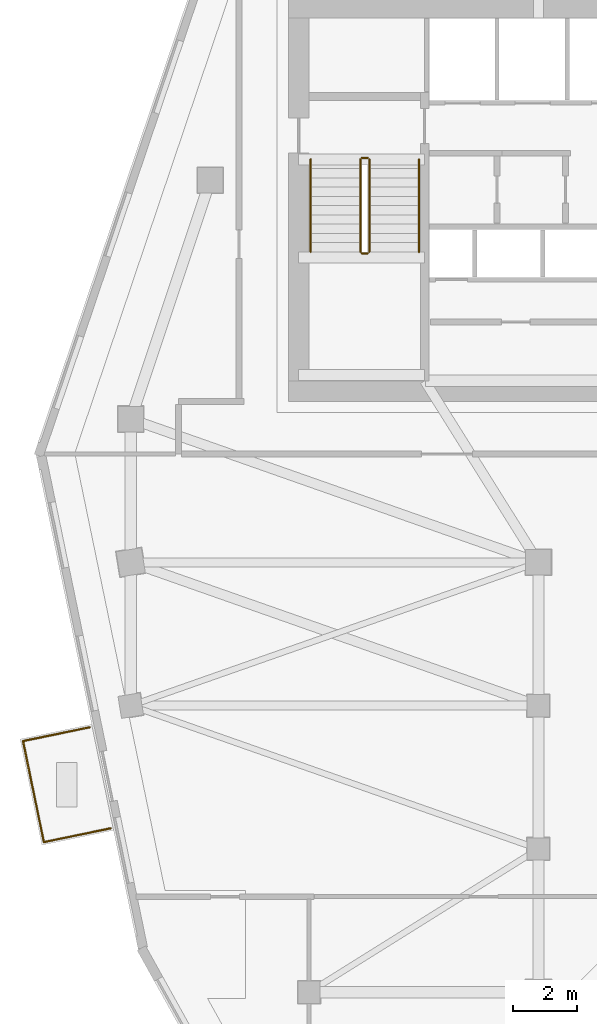
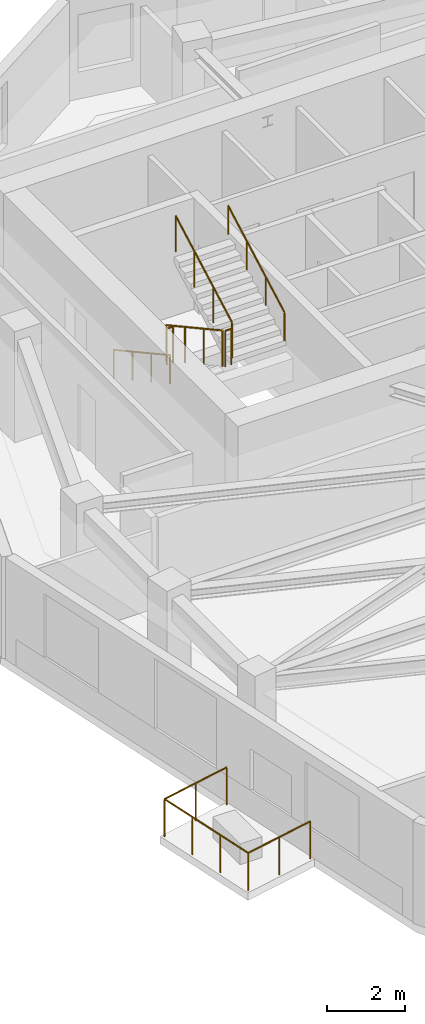
# One storey, part 8 of 10: 9 railings.
"""IFC4 building model written with IfcOpenShell, lengths in metres."""

import ifcopenshell
import ifcopenshell.guid

model = None  # the IFC model being written
_history = None  # IfcOwnerHistory: only IFC2X3 demands one
_inside = {}  # id of a spatial element -> (the spatial element, [elements in it])
_under = {}  # id of a project, library or spatial element -> (it, [spatial elements below it])
_declared = {}  # id of a project -> (the project, [libraries it declares])
_typed = {}  # id of a type object -> (the type object, [elements of that type])
_made_of = {}  # id of a material, layer set ... -> (it, [elements and type objects made of it])


def new_model(schema):
    """Start an empty IFC model of exactly this schema.

    Asked for "IFC4X3", IfcOpenShell would pick the latest addendum, in which some entities
    have other attributes; the version numbers below select the first issue.
    IFC2X3 requires an IfcOwnerHistory on every rooted entity: one is made here for all.
    """
    global model, _history
    if schema == "IFC4X3":
        model = ifcopenshell.file(schema_version=(4, 3, 0, 0))
    else:
        model = ifcopenshell.file(schema=schema)
    _inside.clear()
    _under.clear()
    _declared.clear()
    _typed.clear()
    _made_of.clear()
    _history = None
    if model.schema == "IFC2X3":
        org = make("IfcOrganization", Name="unknown")
        user = make(
            "IfcPersonAndOrganization",
            ThePerson=make("IfcPerson", FamilyName="unknown"),
            TheOrganization=org,
        )
        app = make(
            "IfcApplication",
            ApplicationDeveloper=org,
            Version="unknown",
            ApplicationFullName="unknown",
            ApplicationIdentifier="unknown",
        )
        _history = make(
            "IfcOwnerHistory",
            OwningUser=user,
            OwningApplication=app,
            ChangeAction="ADDED",
            CreationDate=0,
        )
    return model


def make(cls, **values):
    """One entity of the class cls with the attributes given. An attribute that is None is left unset."""
    return model.create_entity(
        cls, **{name: value for name, value in values.items() if value is not None}
    )


def rooted(cls, **values):
    """An entity with a GlobalId (a new one), such as an element, a storey or a relation."""
    return make(cls, GlobalId=ifcopenshell.guid.new(), OwnerHistory=_history, **values)


def si_unit(unit_type, name, prefix=None):
    """IfcSIUnit, for example si_unit("LENGTHUNIT", "METRE", prefix="MILLI")."""
    return make("IfcSIUnit", UnitType=unit_type, Prefix=prefix, Name=name)


def assignment(units):
    """IfcUnitAssignment: the units of a project."""
    return None if units is None else make("IfcUnitAssignment", Units=units)


def point(xyz):
    """IfcCartesianPoint."""
    return None if xyz is None else make("IfcCartesianPoint", Coordinates=xyz)


def direction(xyz):
    """IfcDirection."""
    return None if xyz is None else make("IfcDirection", DirectionRatios=xyz)


def frame(location, z_axis=None, x_axis=None):
    """IfcAxis2Placement3D, a coordinate frame: its origin and axes. An axis left out is left unset."""
    return make(
        "IfcAxis2Placement3D",
        Location=point(location),
        Axis=direction(z_axis),
        RefDirection=direction(x_axis),
    )


def frame_2d(location, x_axis=None):
    """IfcAxis2Placement2D, a coordinate frame in the plane: its origin and x axis."""
    return make(
        "IfcAxis2Placement2D", Location=point(location), RefDirection=direction(x_axis)
    )


def origin():
    """The frame at (0, 0, 0) with its axes left unset."""
    return frame((0.0, 0.0, 0.0))


def origin_2d():
    """The frame at (0, 0) in the plane with its x axis left unset."""
    return frame_2d((0.0, 0.0))


def place(relative_to, where):
    """IfcLocalPlacement: puts the frame where relative to a parent placement (None: the world)."""
    return make(
        "IfcLocalPlacement", PlacementRelTo=relative_to, RelativePlacement=where
    )


def context(
    kind, dimensions, precision=None, world=None, true_north=None, identifier=None
):
    """IfcGeometricRepresentationContext, for example the 3D "Model" context."""
    return make(
        "IfcGeometricRepresentationContext",
        ContextIdentifier=identifier,
        ContextType=kind,
        CoordinateSpaceDimension=dimensions,
        Precision=precision,
        WorldCoordinateSystem=world,
        TrueNorth=true_north,
    )


def subcontext(parent, identifier, kind, view, scale=None):
    """IfcGeometricRepresentationSubContext, for example "Body" below "Model"."""
    return make(
        "IfcGeometricRepresentationSubContext",
        ContextIdentifier=identifier,
        ContextType=kind,
        ParentContext=parent,
        TargetScale=scale,
        TargetView=view,
    )


def project(units=None, contexts=None):
    """IfcProject with its units and contexts."""
    return rooted(
        "IfcProject",
        Name="project",
        RepresentationContexts=contexts,
        UnitsInContext=assignment(units),
    )


def spatial(cls, under=None, at=None, **own):
    """A site, building, storey or space (cls), placed at a placement, below another one or the project."""
    s = rooted(cls, ObjectPlacement=at, **own)
    if under is not None:
        _under.setdefault(under.id(), (under, []))[1].append(s)
    return s


def profile(cls, at=None, kind="AREA", **sizes):
    """A parametric profile (cls). Its sizes go by their IFC names, for example OverallWidth=200.0."""
    return make(cls, ProfileType=kind, Position=at, **sizes)


def circle(**sizes):
    """IfcCircleProfileDef."""
    return profile("IfcCircleProfileDef", **sizes)


def extrude(swept, where, along, depth):
    """IfcExtrudedAreaSolid: the profile swept, set in the frame where, extruded along a direction by depth."""
    return make(
        "IfcExtrudedAreaSolid",
        SweptArea=swept,
        Position=where,
        ExtrudedDirection=direction(along),
        Depth=depth,
    )


def shape(context_of_items, identifier, shape_type, items):
    """IfcShapeRepresentation: the items that make up one representation, for example the "Body"."""
    return make(
        "IfcShapeRepresentation",
        ContextOfItems=context_of_items,
        RepresentationIdentifier=identifier,
        RepresentationType=shape_type,
        Items=items,
    )


def material(Name=None, Category=None):
    """IfcMaterial."""
    return make("IfcMaterial", Name=Name, Category=Category)


def made_of(thing, what):
    """Note that an element or type object is made of a material, layer set ...; save() writes the relation."""
    if what is not None:
        _made_of.setdefault(what.id(), (what, []))[1].append(thing)
    return thing


def type_object(cls, material=None, **own):
    """A type object (cls), such as IfcWallType, which elements share."""
    return made_of(rooted(cls, **own), material)


def element(
    cls,
    number,
    at=None,
    inside=None,
    cuts=None,
    type_object=None,
    material=None,
    context=None,
    identifier="Body",
    shape_type=None,
    held_by="IfcProductDefinitionShape",
    body=None,
    shapes=None,
    **own,
):
    """One element of the class cls, such as IfcWall. Its Tag is "e" and its number.

    at: its placement. inside: the storey or other place that contains it. cuts: it is an
    opening in that element (IfcRelVoidsElement). A single representation is given by context,
    identifier, shape_type and body (its items); several are given by shapes. held_by: the class
    of the entity that holds the representations. save() writes the other relations.
    """
    e = rooted(cls, Tag="e%d" % number, ObjectPlacement=at, **own)
    if body is not None:
        shapes = [shape(context, identifier, shape_type, body)]
    if shapes is not None:
        e.Representation = make(held_by, Representations=shapes)
    if inside is not None:
        _inside.setdefault(inside.id(), (inside, []))[1].append(e)
    if cuts is not None:
        rooted(
            "IfcRelVoidsElement", RelatingBuildingElement=cuts, RelatedOpeningElement=e
        )
    if type_object is not None:
        _typed.setdefault(type_object.id(), (type_object, []))[1].append(e)
    return made_of(e, material)


def aggregate(whole, parts):
    """IfcRelAggregates: a whole, such as a stair, and the parts it consists of."""
    return rooted("IfcRelAggregates", RelatingObject=whole, RelatedObjects=parts)


def save(model, path):
    """Write the relations noted so far, then the file.

    IfcRelAggregates (storeys below a building ...), IfcRelContainedInSpatialStructure (elements
    in a storey), IfcRelDefinesByType, IfcRelAssociatesMaterial and IfcRelDeclares: one each for
    every whole, place, type object, material and project.
    """
    for whole, parts in _under.values():
        aggregate(whole, parts)
    for where, things in _inside.values():
        rooted(
            "IfcRelContainedInSpatialStructure",
            RelatedElements=things,
            RelatingStructure=where,
        )
    for kind, things in _typed.values():
        rooted("IfcRelDefinesByType", RelatedObjects=things, RelatingType=kind)
    for what, things in _made_of.values():
        rooted("IfcRelAssociatesMaterial", RelatedObjects=things, RelatingMaterial=what)
    for by, libraries in _declared.values():
        rooted("IfcRelDeclares", RelatingContext=by, RelatedDefinitions=libraries)
    model.write(path)


model = new_model("IFC4")

# Units and contexts
model_context = context("Model", 3, precision=1e-05, world=origin(), true_north=direction((0.0, 1.0)))
body_context = subcontext(model_context, "Body", "Model", "MODEL_VIEW")
ifc_project = project(units=[si_unit("LENGTHUNIT", "METRE"), si_unit("AREAUNIT", "SQUARE_METRE"), si_unit("VOLUMEUNIT", "CUBIC_METRE"), si_unit("PLANEANGLEUNIT", "RADIAN"), si_unit("MASSUNIT", "GRAM", prefix="KILO")], contexts=[model_context])

# Site, building, storey
site_placement = place(None, origin())
site = spatial("IfcSite", under=ifc_project, at=site_placement, CompositionType="ELEMENT")
building_placement = place(site_placement, origin())
building = spatial("IfcBuilding", under=site, at=building_placement, Name="Calvemar Wedge Station Tower", CompositionType="ELEMENT")
storey_placement = place(building_placement, frame((0.0, 0.0, 207.89990234375)))
storey = spatial("IfcBuildingStorey", under=building, at=storey_placement, Name="L52", CompositionType="ELEMENT", Elevation=207.89990234375)

# Railings
ifc_material_1 = material(Name="Stainless steel AISI 316L", Category="steel")
railing_type_1 = type_object("IfcRailingType", Name="GRD-TERR-1200", PredefinedType="GUARDRAIL", material=ifc_material_1)
railing_1_placement = place(storey_placement, frame((10.366455078125, 20.147216796875, 0.0)))
element("IfcRailing", 1, at=railing_1_placement, inside=storey, type_object=railing_type_1, Name="Storey L52 Spiral Terrace Guard 2", PredefinedType="GUARDRAIL", context=body_context, shape_type="SweptSolid", body=[
    extrude(circle(Radius=0.02392578125, at=origin_2d()), frame((0.0, 0.0, 1.17578125), z_axis=(-0.979341536127, -0.202213144024, 0.0), x_axis=(0.202213144024, -0.979341536127, 0.0)), (0.0, 0.0, 1.0), 2.139404296875),
    extrude(circle(Radius=0.02099609375, at=origin_2d()), origin(), (0.0, 0.0, 1.0), 1.15185546875),
    extrude(circle(Radius=0.02099609375, at=origin_2d()), frame((-1.047607421875, -0.21630859375, 0.0)), (0.0, 0.0, 1.0), 1.15185546875),
    extrude(circle(Radius=0.02099609375, at=origin_2d()), frame((-2.09521484375, -0.4326171875, 0.0)), (0.0, 0.0, 1.0), 1.15185546875),
])
railing_2_placement = place(storey_placement, frame((8.271240234375, 19.714599609375, 0.0)))
element("IfcRailing", 2, at=railing_2_placement, inside=storey, type_object=railing_type_1, Name="Storey L52 Spiral Terrace Guard 3", PredefinedType="GUARDRAIL", context=body_context, shape_type="SweptSolid", body=[
    extrude(circle(Radius=0.02392578125, at=origin_2d()), frame((0.0, 0.0, 1.17578125), z_axis=(-0.202097264891, 0.97936545555, 0.0), x_axis=(-0.97936545555, -0.202097264891, 0.0)), (0.0, 0.0, 1.0), 3.239990234375),
    extrude(circle(Radius=0.02099609375, at=origin_2d()), origin(), (0.0, 0.0, 1.0), 1.15185546875),
    extrude(circle(Radius=0.02099609375, at=origin_2d()), frame((-0.21826171875, 1.0576171875, 0.0)), (0.0, 0.0, 1.0), 1.15185546875),
    extrude(circle(Radius=0.02099609375, at=origin_2d()), frame((-0.4365234375, 2.115478515625, 0.0)), (0.0, 0.0, 1.0), 1.15185546875),
    extrude(circle(Radius=0.02099609375, at=origin_2d()), frame((-0.65478515625, 3.173095703125, 0.0)), (0.0, 0.0, 1.0), 1.15185546875),
])
railing_3_placement = place(storey_placement, frame((7.616455078125, 22.8876953125, 0.0)))
element("IfcRailing", 3, at=railing_3_placement, inside=storey, type_object=railing_type_1, Name="Storey L52 Spiral Terrace Guard 4", PredefinedType="GUARDRAIL", context=body_context, shape_type="SweptSolid", body=[
    extrude(circle(Radius=0.02392578125, at=origin_2d()), frame((0.0, 0.0, 1.17578125), z_axis=(0.979323601906, 0.202299982079, 0.0), x_axis=(-0.202299982079, 0.979323601906, 0.0)), (0.0, 0.0, 1.0), 2.1396484375),
    extrude(circle(Radius=0.02099609375, at=origin_2d()), origin(), (0.0, 0.0, 1.0), 1.15185546875),
    extrude(circle(Radius=0.02099609375, at=origin_2d()), frame((1.0478515625, 0.21630859375, 0.0)), (0.0, 0.0, 1.0), 1.15185546875),
    extrude(circle(Radius=0.02099609375, at=origin_2d()), frame((2.095458984375, 0.432861328125, 0.0)), (0.0, 0.0, 1.0), 1.15185546875),
])
railing_type_2 = type_object("IfcRailingType", Name="RL-HANDRAIL-920", PredefinedType="HANDRAIL", material=ifc_material_1)
railing_4_placement = place(storey_placement, frame((16.64990234375, 41.14990234375, 0.1591796875)))
element("IfcRailing", 4, at=railing_4_placement, inside=storey, type_object=railing_type_2, Name="L52 ST-C1 stair handrail 1", PredefinedType="HANDRAIL", context=body_context, shape_type="SweptSolid", body=[
    extrude(circle(Radius=0.02392578125, at=origin_2d()), frame((0.0, 0.0, 0.89599609375), z_axis=(0.0, -0.876742130028, 0.480960744171), x_axis=(1.0, 0.0, 0.0)), (0.0, 0.0, 1.0), 3.3076171875),
    extrude(circle(Radius=0.02099609375, at=origin_2d()), origin(), (0.0, 0.0, 1.0), 0.871826171875),
    extrude(circle(Radius=0.02099609375, at=origin_2d()), frame((0.0, -0.966552734375, 0.5302734375)), (0.0, 0.0, 1.0), 0.871826171875),
    extrude(circle(Radius=0.02099609375, at=origin_2d()), frame((0.0, -1.933349609375, 1.060546875)), (0.0, 0.0, 1.0), 0.871826171875),
    extrude(circle(Radius=0.02099609375, at=origin_2d()), frame((0.0, -2.89990234375, 1.5908203125)), (0.0, 0.0, 1.0), 0.871826171875),
])
railing_5_placement = place(storey_placement, frame((20.050048828125, 38.25, 1.9091796875)))
element("IfcRailing", 5, at=railing_5_placement, inside=storey, type_object=railing_type_2, Name="L52 ST-C1 stair handrail 2", PredefinedType="HANDRAIL", context=body_context, shape_type="SweptSolid", body=[
    extrude(circle(Radius=0.02392578125, at=origin_2d()), frame((0.0, 0.0, 0.89599609375), z_axis=(0.0, 0.876742130028, 0.480960744171), x_axis=(-1.0, 0.0, 0.0)), (0.0, 0.0, 1.0), 3.3076171875),
    extrude(circle(Radius=0.02099609375, at=origin_2d()), origin(), (0.0, 0.0, 1.0), 0.871826171875),
    extrude(circle(Radius=0.02099609375, at=origin_2d()), frame((0.0, 0.966552734375, 0.5302734375)), (0.0, 0.0, 1.0), 0.871826171875),
    extrude(circle(Radius=0.02099609375, at=origin_2d()), frame((0.0, 1.933349609375, 1.060546875)), (0.0, 0.0, 1.0), 0.871826171875),
    extrude(circle(Radius=0.02099609375, at=origin_2d()), frame((0.0, 2.89990234375, 1.5908203125)), (0.0, 0.0, 1.0), 0.871826171875),
])
ifc_material_2 = material(Name="Painted steel guardrail ASTM A500 Grade C", Category="steel")
railing_type_3 = type_object("IfcRailingType", Name="RL-STAIR-GUARD-1150", PredefinedType="GUARDRAIL", material=ifc_material_2)
railing_6_placement = place(storey_placement, frame((18.2099609375, 41.14990234375, 0.1591796875)))
element("IfcRailing", 6, at=railing_6_placement, inside=storey, type_object=railing_type_3, Name="L52 ST-C1 stair guard 1", PredefinedType="GUARDRAIL", context=body_context, shape_type="SweptSolid", body=[
    extrude(circle(Radius=0.02392578125, at=origin_2d()), frame((0.0, 0.0, 1.1259765625), z_axis=(0.0, -0.876742130028, 0.480960744171), x_axis=(1.0, 0.0, 0.0)), (0.0, 0.0, 1.0), 3.3076171875),
    extrude(circle(Radius=0.02099609375, at=origin_2d()), origin(), (0.0, 0.0, 1.0), 1.101806640625),
    extrude(circle(Radius=0.02099609375, at=origin_2d()), frame((0.0, -0.966552734375, 0.5302734375)), (0.0, 0.0, 1.0), 1.101806640625),
    extrude(circle(Radius=0.02099609375, at=origin_2d()), frame((0.0, -1.933349609375, 1.060546875)), (0.0, 0.0, 1.0), 1.101806640625),
    extrude(circle(Radius=0.02099609375, at=origin_2d()), frame((0.0, -2.89990234375, 1.5908203125)), (0.0, 0.0, 1.0), 1.101806640625),
])
railing_7_placement = place(storey_placement, frame((18.260009765625, 38.199951171875, 1.75)))
element("IfcRailing", 7, at=railing_7_placement, inside=storey, type_object=railing_type_3, Name="L52 ST-C1 stair guard 2", PredefinedType="GUARDRAIL", context=body_context, shape_type="SweptSolid", body=[
    extrude(circle(Radius=0.02392578125, at=origin_2d()), frame((0.0, 0.0, 1.1259765625), z_axis=(1.0, 0.0, 0.0), x_axis=(0.0, 1.0, 0.0)), (0.0, 0.0, 1.0), 0.179931640625),
    extrude(circle(Radius=0.02099609375, at=origin_2d()), origin(), (0.0, 0.0, 1.0), 1.101806640625),
    extrude(circle(Radius=0.02099609375, at=origin_2d()), frame((0.179931640625, 0.0, 0.0)), (0.0, 0.0, 1.0), 1.101806640625),
])
railing_8_placement = place(storey_placement, frame((18.489990234375, 38.25, 1.9091796875)))
element("IfcRailing", 8, at=railing_8_placement, inside=storey, type_object=railing_type_3, Name="L52 ST-C1 stair guard 3", PredefinedType="GUARDRAIL", context=body_context, shape_type="SweptSolid", body=[
    extrude(circle(Radius=0.02392578125, at=origin_2d()), frame((0.0, 0.0, 1.1259765625), z_axis=(0.0, 0.876742130028, 0.480960744171), x_axis=(-1.0, 0.0, 0.0)), (0.0, 0.0, 1.0), 3.3076171875),
    extrude(circle(Radius=0.02099609375, at=origin_2d()), origin(), (0.0, 0.0, 1.0), 1.101806640625),
    extrude(circle(Radius=0.02099609375, at=origin_2d()), frame((0.0, 0.966552734375, 0.5302734375)), (0.0, 0.0, 1.0), 1.101806640625),
    extrude(circle(Radius=0.02099609375, at=origin_2d()), frame((0.0, 1.933349609375, 1.060546875)), (0.0, 0.0, 1.0), 1.101806640625),
    extrude(circle(Radius=0.02099609375, at=origin_2d()), frame((0.0, 2.89990234375, 1.5908203125)), (0.0, 0.0, 1.0), 1.101806640625),
])
railing_9_placement = place(storey_placement, frame((18.260009765625, 41.199951171875, 0.0)))
element("IfcRailing", 9, at=railing_9_placement, inside=storey, type_object=railing_type_3, Name="L52 ST-C1 stair guard 4", PredefinedType="GUARDRAIL", context=body_context, shape_type="SweptSolid", body=[
    extrude(circle(Radius=0.02392578125, at=origin_2d()), frame((0.0, 0.0, 1.1259765625), z_axis=(1.0, 0.0, 0.0), x_axis=(0.0, 1.0, 0.0)), (0.0, 0.0, 1.0), 0.179931640625),
    extrude(circle(Radius=0.02099609375, at=origin_2d()), origin(), (0.0, 0.0, 1.0), 1.101806640625),
    extrude(circle(Radius=0.02099609375, at=origin_2d()), frame((0.179931640625, 0.0, 0.0)), (0.0, 0.0, 1.0), 1.101806640625),
])

save(model, "model.ifc")
